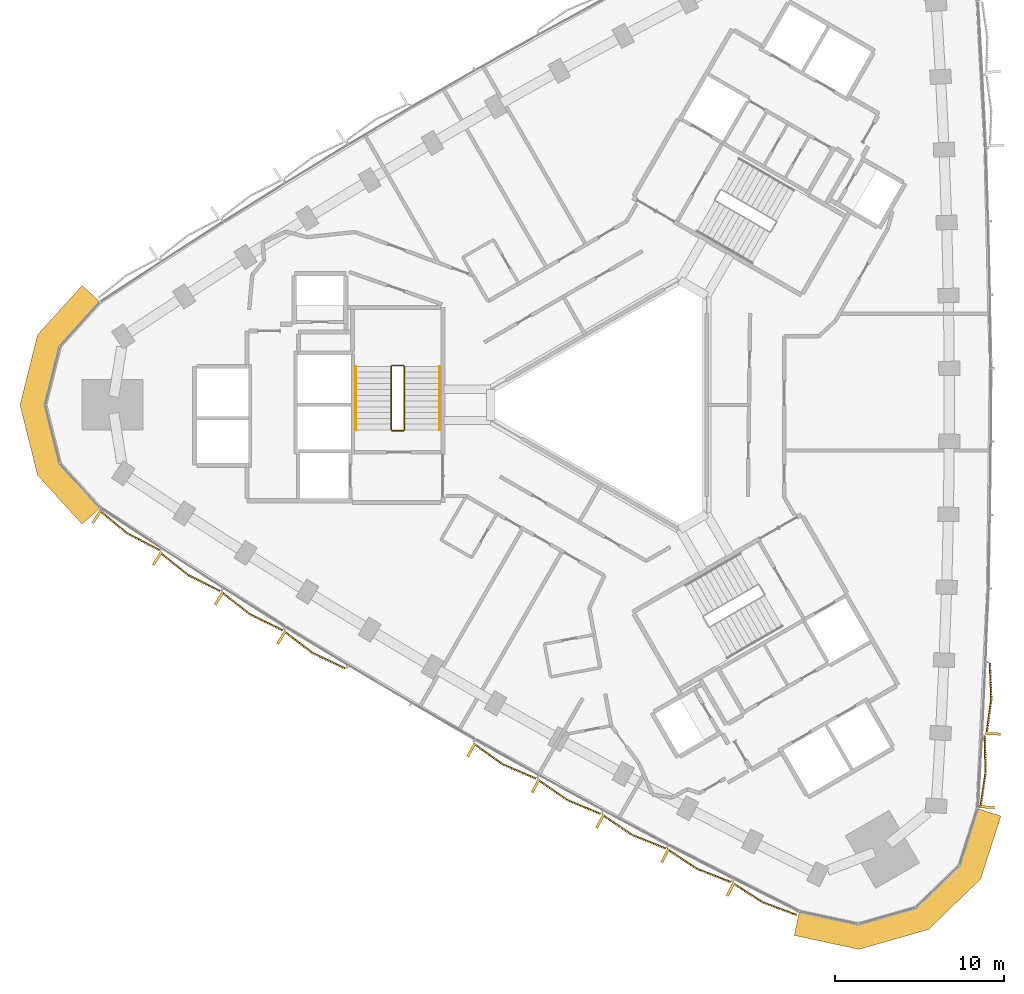
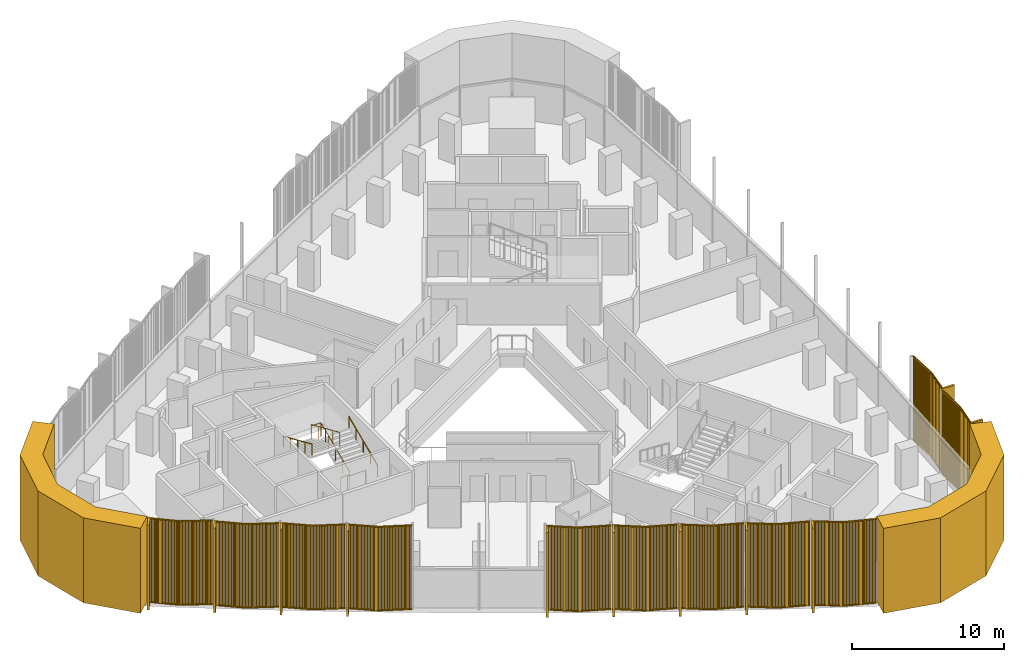
# One storey, part 12 of 14: 13 coverings, 3 railings.
"""IFC4 building model written with IfcOpenShell, lengths in metres."""

from ifc_helpers import new_model, si_unit, direction, frame, frame_2d, origin, origin_2d, place, context, subcontext, project, spatial, polyline, rectangle, circle, outline, extrude, source, transform, mapped, material, layer, layer_set, type_object, element, save


model = new_model("IFC4")

# Units and contexts
model_context = context("Model", 3, precision=1e-05, world=origin(), true_north=direction((0.0, 1.0)))
body_context = subcontext(model_context, "Body", "Model", "MODEL_VIEW")
ifc_project = project(units=[si_unit("LENGTHUNIT", "METRE"), si_unit("AREAUNIT", "SQUARE_METRE"), si_unit("VOLUMEUNIT", "CUBIC_METRE"), si_unit("PLANEANGLEUNIT", "RADIAN"), si_unit("MASSUNIT", "GRAM", prefix="KILO")], contexts=[model_context])

# Site, building, storey
site_placement = place(None, origin())
site = spatial("IfcSite", under=ifc_project, at=site_placement, CompositionType="ELEMENT")
building_placement = place(site_placement, origin())
building = spatial("IfcBuilding", under=site, at=building_placement, Name="Tamra Quay Hotel Tower", CompositionType="ELEMENT")
storey_placement = place(building_placement, frame((0.0, 0.0, 139.60009765625)))
storey = spatial("IfcBuildingStorey", under=building, at=storey_placement, Name="L34", CompositionType="ELEMENT", Elevation=139.60009765625)

# Coverings
ifc_material_1 = material(Name="Precast concrete M60 terracotta-coloured", Category="masonry")
ifc_layer = layer(ifc_material_1, 1.449951171875)
ifc_layer_set = layer_set([ifc_layer], Name="CORNER PIER PANEL")
covering_type_1 = type_object("IfcCoveringType", Name="CORNER PIER PANEL", PredefinedType="CLADDING", material=ifc_layer_set)
covering_1_placement = place(storey_placement, origin())
element("IfcCovering", 1, at=covering_1_placement, inside=storey, type_object=covering_type_1, Name="Corner pier L34.north-west", PredefinedType="CLADDING", context=body_context, shape_type="SweptSolid", body=[
    extrude(outline(polyline([(-31.139892578125, 6.099365234375), (-32.21435546875, 7.0732421875), (-34.85205078125, 4.16259765625), (-35.894775390625, 0.0), (-34.85205078125, -4.16259765625), (-32.21435546875, -7.0732421875), (-31.139892578125, -6.099365234375), (-33.53369140625, -3.4580078125), (-34.39990234375, 0.0), (-33.53369140625, 3.4580078125), (-31.139892578125, 6.099365234375)])), origin(), (0.0, 0.0, 1.0), 6.7998046875),
])
covering_2_placement = place(storey_placement, origin())
element("IfcCovering", 2, at=covering_2_placement, inside=storey, type_object=covering_type_1, Name="Corner pier L34.south-west", PredefinedType="CLADDING", context=body_context, shape_type="SweptSolid", body=[
    extrude(outline(polyline([(10.28759765625, -30.017578125), (9.981689453125, -31.43505859375), (13.821044921875, -32.26416015625), (17.947509765625, -31.085693359375), (21.031005859375, -28.1015625), (22.232666015625, -24.36181640625), (20.852294921875, -23.918212890625), (19.76171875, -27.31201171875), (17.199951171875, -29.791259765625), (13.772216796875, -30.770263671875), (10.28759765625, -30.017578125)])), origin(), (0.0, 0.0, 1.0), 6.7998046875),
])

# Railings
ifc_material_2 = material(Name="Stair guard 1100")
railing_type_1 = type_object("IfcRailingType", Name="Stair guard 1100", PredefinedType="GUARDRAIL", material=ifc_material_2)
railing_1_placement = place(storey_placement, frame((-13.84130859375, -1.530029296875, 0.0)))
element("IfcRailing", 3, at=railing_1_placement, inside=storey, type_object=railing_type_1, Name="GR", PredefinedType="GUARDRAIL", context=body_context, shape_type="SweptSolid", body=[
    extrude(circle(Radius=0.02392578125, at=origin_2d()), frame((0.0, 0.0, 1.076171875), z_axis=(1.0, 0.0, 0.0), x_axis=(0.0, 1.0, 0.0)), (0.0, 0.0, 1.0), 0.658935546875),
    extrude(circle(Radius=0.02392578125, at=origin_2d()), frame((0.658935546875, 0.0, 1.076171875), z_axis=(0.301912943143, 0.301912943143, 0.904266083366), x_axis=(-0.707106781187, 0.707106781187, 0.0)), (0.0, 0.0, 1.0), 0.165771484375),
    extrude(circle(Radius=0.02392578125, at=origin_2d()), frame((0.708984375, 0.050048828125, 1.22607421875), z_axis=(0.0, 0.915795495799, 0.401644880304), x_axis=(-1.0, 0.0, 0.0)), (0.0, 0.0, 1.0), 4.10791015625),
    extrude(circle(Radius=0.02392578125, at=origin_2d()), frame((0.708984375, 3.81201171875, 2.8759765625), z_axis=(-0.708833529934, 0.705375805398, 0.0), x_axis=(-0.705375805398, -0.708833529934, 0.0)), (0.0, 0.0, 1.0), 0.070556640625),
    extrude(circle(Radius=0.02392578125, at=origin_2d()), frame((0.658935546875, 3.86181640625, 2.8759765625), z_axis=(-1.0, 0.0, 0.0), x_axis=(0.0, -1.0, 0.0)), (0.0, 0.0, 1.0), 0.658935546875),
    extrude(circle(Radius=0.02392578125, at=origin_2d()), frame((0.0, 3.86181640625, 2.8759765625), z_axis=(-0.301644814947, -0.300173376825, 0.904934444842), x_axis=(0.705375805398, -0.708833529934, 0.0)), (0.0, 0.0, 1.0), 0.166015625),
    extrude(circle(Radius=0.02392578125, at=origin_2d()), frame((-0.050048828125, 3.81201171875, 3.02587890625), z_axis=(0.0, -0.915795495799, 0.401644880304), x_axis=(1.0, 0.0, 0.0)), (0.0, 0.0, 1.0), 4.10791015625),
    extrude(circle(Radius=0.02099609375, at=origin_2d()), origin(), (0.0, 0.0, 1.0), 1.052001953125),
    extrude(circle(Radius=0.02099609375, at=origin_2d()), frame((0.658935546875, 0.0, 0.0)), (0.0, 0.0, 1.0), 1.052001953125),
    extrude(circle(Radius=0.02099609375, at=origin_2d()), frame((0.708984375, 0.050048828125, 0.14990234375)), (0.0, 0.0, 1.0), 1.052001953125),
    extrude(circle(Radius=0.02099609375, at=origin_2d()), frame((0.708984375, 0.990478515625, 0.5625)), (0.0, 0.0, 1.0), 1.052001953125),
    extrude(circle(Radius=0.02099609375, at=origin_2d()), frame((0.708984375, 1.93115234375, 0.974853515625)), (0.0, 0.0, 1.0), 1.052001953125),
    extrude(circle(Radius=0.02099609375, at=origin_2d()), frame((0.708984375, 2.87158203125, 1.38720703125)), (0.0, 0.0, 1.0), 1.052001953125),
    extrude(circle(Radius=0.02099609375, at=origin_2d()), frame((0.708984375, 3.81201171875, 1.7998046875)), (0.0, 0.0, 1.0), 1.052001953125),
    extrude(circle(Radius=0.02099609375, at=origin_2d()), frame((0.658935546875, 3.86181640625, 1.7998046875)), (0.0, 0.0, 1.0), 1.052001953125),
    extrude(circle(Radius=0.02099609375, at=origin_2d()), frame((0.0, 3.86181640625, 1.7998046875)), (0.0, 0.0, 1.0), 1.052001953125),
    extrude(circle(Radius=0.02099609375, at=origin_2d()), frame((-0.050048828125, 3.81201171875, 1.949951171875)), (0.0, 0.0, 1.0), 1.052001953125),
    extrude(circle(Radius=0.02099609375, at=origin_2d()), frame((-0.050048828125, 2.87158203125, 2.3623046875)), (0.0, 0.0, 1.0), 1.052001953125),
    extrude(circle(Radius=0.02099609375, at=origin_2d()), frame((-0.050048828125, 1.93115234375, 2.77490234375)), (0.0, 0.0, 1.0), 1.052001953125),
    extrude(circle(Radius=0.02099609375, at=origin_2d()), frame((-0.050048828125, 0.990478515625, 3.1875)), (0.0, 0.0, 1.0), 1.052001953125),
    extrude(circle(Radius=0.02099609375, at=origin_2d()), frame((-0.050048828125, 0.050048828125, 3.599853515625)), (0.0, 0.0, 1.0), 1.052001953125),
])
ifc_material_3 = material(Name="Stair handrail 900")
railing_type_2 = type_object("IfcRailingType", Name="Stair handrail 900", PredefinedType="HANDRAIL", material=ifc_material_3)
railing_2_placement = place(storey_placement, frame((-11.0322265625, -1.47998046875, 0.14990234375)))
element("IfcRailing", 4, at=railing_2_placement, inside=storey, type_object=railing_type_2, Name="HR", PredefinedType="HANDRAIL", context=body_context, shape_type="SweptSolid", body=[
    extrude(circle(Radius=0.02392578125, at=origin_2d()), frame((0.0, 0.0, 0.8759765625), z_axis=(0.0, 0.915795495799, 0.401644880304), x_axis=(-1.0, 0.0, 0.0)), (0.0, 0.0, 1.0), 4.10791015625),
    extrude(circle(Radius=0.02099609375, at=origin_2d()), origin(), (0.0, 0.0, 1.0), 0.851806640625),
    extrude(circle(Radius=0.02099609375, at=origin_2d()), frame((0.0, 0.9404296875, 0.41259765625)), (0.0, 0.0, 1.0), 0.851806640625),
    extrude(circle(Radius=0.02099609375, at=origin_2d()), frame((0.0, 1.880859375, 0.824951171875)), (0.0, 0.0, 1.0), 0.851806640625),
    extrude(circle(Radius=0.02099609375, at=origin_2d()), frame((0.0, 2.821533203125, 1.2373046875)), (0.0, 0.0, 1.0), 0.851806640625),
    extrude(circle(Radius=0.02099609375, at=origin_2d()), frame((0.0, 3.761962890625, 1.64990234375)), (0.0, 0.0, 1.0), 0.851806640625),
])
railing_3_placement = place(storey_placement, frame((-15.9912109375, 2.281982421875, 1.949951171875)))
element("IfcRailing", 5, at=railing_3_placement, inside=storey, type_object=railing_type_2, Name="HR", PredefinedType="HANDRAIL", context=body_context, shape_type="SweptSolid", body=[
    extrude(circle(Radius=0.02392578125, at=origin_2d()), frame((0.0, 0.0, 0.8759765625), z_axis=(0.0, -0.915795495799, 0.401644880304), x_axis=(1.0, 0.0, 0.0)), (0.0, 0.0, 1.0), 4.10791015625),
    extrude(circle(Radius=0.02099609375, at=origin_2d()), origin(), (0.0, 0.0, 1.0), 0.851806640625),
    extrude(circle(Radius=0.02099609375, at=origin_2d()), frame((0.0, -0.9404296875, 0.41259765625)), (0.0, 0.0, 1.0), 0.851806640625),
    extrude(circle(Radius=0.02099609375, at=origin_2d()), frame((0.0, -1.880859375, 0.824951171875)), (0.0, 0.0, 1.0), 0.851806640625),
    extrude(circle(Radius=0.02099609375, at=origin_2d()), frame((0.0, -2.821533203125, 1.2373046875)), (0.0, 0.0, 1.0), 0.851806640625),
    extrude(circle(Radius=0.02099609375, at=origin_2d()), frame((0.0, -3.761962890625, 1.64990234375)), (0.0, 0.0, 1.0), 0.851806640625),
])

# Coverings
ifc_material_4 = material(Name="Terracotta baguette extruded", Category="masonry")
covering_type_2 = type_object("IfcCoveringType", Name="BAGUETTE SCREEN E-V H6800", PredefinedType="USERDEFINED", material=ifc_material_4)
shared_shape_1 = source(origin(), body_context, "Body", "SweptSolid", [
    extrude(rectangle(XDim=2.140625, YDim=0.06005859375, at=frame_2d((1.0703125, 0.030029296875))), frame((-2.1376953125, -0.057861328125, -0.1201171875), z_axis=(0.0, 0.0, 1.0), x_axis=(0.996194698092, -0.087155742748, 0.0)), (0.0, 0.0, 1.0), 0.1201171875),
    extrude(rectangle(XDim=2.140625, YDim=0.06005859375, at=frame_2d((1.0703125, 0.030029296875))), frame((-2.1376953125, -0.057861328125, -6.800048828125), z_axis=(0.0, 0.0, 1.0), x_axis=(0.996194698092, -0.087155742748, 0.0)), (0.0, 0.0, 1.0), 0.1201171875),
    extrude(rectangle(XDim=0.070068359375, YDim=0.10009765625, at=frame_2d((0.03515625, 0.050048828125))), frame((-2.11669921875, -0.13232421875, -6.739990234375)), (0.0, 0.0, 1.0), 6.679931640625),
    extrude(rectangle(XDim=0.070068359375, YDim=0.10009765625, at=frame_2d((0.03515625, 0.050048828125))), frame((-2.01513671875, -0.141357421875, -6.739990234375)), (0.0, 0.0, 1.0), 6.679931640625),
    extrude(rectangle(XDim=0.070068359375, YDim=0.10009765625, at=frame_2d((0.03515625, 0.050048828125))), frame((-1.91357421875, -0.150146484375, -6.739990234375)), (0.0, 0.0, 1.0), 6.679931640625),
    extrude(rectangle(XDim=0.070068359375, YDim=0.10009765625, at=frame_2d((0.03515625, 0.050048828125))), frame((-1.81201171875, -0.1591796875, -6.739990234375)), (0.0, 0.0, 1.0), 6.679931640625),
    extrude(rectangle(XDim=0.070068359375, YDim=0.10009765625, at=frame_2d((0.03515625, 0.050048828125))), frame((-1.71044921875, -0.16796875, -6.739990234375)), (0.0, 0.0, 1.0), 6.679931640625),
    extrude(rectangle(XDim=0.070068359375, YDim=0.10009765625, at=frame_2d((0.03515625, 0.050048828125))), frame((-1.60888671875, -0.1767578125, -6.739990234375)), (0.0, 0.0, 1.0), 6.679931640625),
    extrude(rectangle(XDim=0.070068359375, YDim=0.10009765625, at=frame_2d((0.03515625, 0.050048828125))), frame((-1.50732421875, -0.185791015625, -6.739990234375)), (0.0, 0.0, 1.0), 6.679931640625),
    extrude(rectangle(XDim=0.070068359375, YDim=0.10009765625, at=frame_2d((0.03515625, 0.050048828125))), frame((-1.406005859375, -0.194580078125, -6.739990234375)), (0.0, 0.0, 1.0), 6.679931640625),
    extrude(rectangle(XDim=0.070068359375, YDim=0.10009765625, at=frame_2d((0.03515625, 0.050048828125))), frame((-1.304443359375, -0.20361328125, -6.739990234375)), (0.0, 0.0, 1.0), 6.679931640625),
    extrude(rectangle(XDim=0.070068359375, YDim=0.10009765625, at=frame_2d((0.03515625, 0.050048828125))), frame((-1.202880859375, -0.21240234375, -6.739990234375)), (0.0, 0.0, 1.0), 6.679931640625),
    extrude(rectangle(XDim=0.070068359375, YDim=0.10009765625, at=frame_2d((0.03515625, 0.050048828125))), frame((-1.101318359375, -0.22119140625, -6.739990234375)), (0.0, 0.0, 1.0), 6.679931640625),
    extrude(rectangle(XDim=0.070068359375, YDim=0.10009765625, at=frame_2d((0.03515625, 0.050048828125))), frame((-0.999755859375, -0.230224609375, -6.739990234375)), (0.0, 0.0, 1.0), 6.679931640625),
    extrude(rectangle(XDim=0.070068359375, YDim=0.10009765625, at=frame_2d((0.03515625, 0.050048828125))), frame((-0.898193359375, -0.239013671875, -6.739990234375)), (0.0, 0.0, 1.0), 6.679931640625),
    extrude(rectangle(XDim=0.070068359375, YDim=0.10009765625, at=frame_2d((0.03515625, 0.050048828125))), frame((-0.796630859375, -0.248046875, -6.739990234375)), (0.0, 0.0, 1.0), 6.679931640625),
    extrude(rectangle(XDim=0.070068359375, YDim=0.10009765625, at=frame_2d((0.03515625, 0.050048828125))), frame((-0.695068359375, -0.2568359375, -6.739990234375)), (0.0, 0.0, 1.0), 6.679931640625),
    extrude(rectangle(XDim=0.070068359375, YDim=0.10009765625, at=frame_2d((0.03515625, 0.050048828125))), frame((-0.593505859375, -0.265625, -6.739990234375)), (0.0, 0.0, 1.0), 6.679931640625),
    extrude(rectangle(XDim=0.070068359375, YDim=0.10009765625, at=frame_2d((0.03515625, 0.050048828125))), frame((-0.491943359375, -0.274658203125, -6.739990234375)), (0.0, 0.0, 1.0), 6.679931640625),
    extrude(rectangle(XDim=0.070068359375, YDim=0.10009765625, at=frame_2d((0.03515625, 0.050048828125))), frame((-0.390380859375, -0.283447265625, -6.739990234375)), (0.0, 0.0, 1.0), 6.679931640625),
    extrude(rectangle(XDim=0.070068359375, YDim=0.10009765625, at=frame_2d((0.03515625, 0.050048828125))), frame((-0.288818359375, -0.29248046875, -6.739990234375)), (0.0, 0.0, 1.0), 6.679931640625),
    extrude(rectangle(XDim=0.070068359375, YDim=0.10009765625, at=frame_2d((0.03515625, 0.050048828125))), frame((-0.187255859375, -0.30126953125, -6.739990234375)), (0.0, 0.0, 1.0), 6.679931640625),
    extrude(rectangle(XDim=0.070068359375, YDim=0.10009765625, at=frame_2d((0.03515625, 0.050048828125))), frame((-0.085693359375, -0.31005859375, -6.739990234375)), (0.0, 0.0, 1.0), 6.679931640625),
    extrude(rectangle(XDim=2.140625, YDim=0.06005859375, at=frame_2d((1.0703125, 0.030029296875))), frame((0.005126953125, -0.244384765625, -0.1201171875), z_axis=(0.0, 0.0, 1.0), x_axis=(0.996194698092, 0.087155742748, 0.0)), (0.0, 0.0, 1.0), 0.1201171875),
    extrude(rectangle(XDim=2.140625, YDim=0.06005859375, at=frame_2d((1.0703125, 0.030029296875))), frame((0.005126953125, -0.244384765625, -6.800048828125), z_axis=(0.0, 0.0, 1.0), x_axis=(0.996194698092, 0.087155742748, 0.0)), (0.0, 0.0, 1.0), 0.1201171875),
    extrude(rectangle(XDim=0.070068359375, YDim=0.10009765625, at=frame_2d((0.03515625, 0.050048828125))), frame((0.015869140625, -0.31005859375, -6.739990234375)), (0.0, 0.0, 1.0), 6.679931640625),
    extrude(rectangle(XDim=0.070068359375, YDim=0.10009765625, at=frame_2d((0.03515625, 0.050048828125))), frame((0.117431640625, -0.30126953125, -6.739990234375)), (0.0, 0.0, 1.0), 6.679931640625),
    extrude(rectangle(XDim=0.070068359375, YDim=0.10009765625, at=frame_2d((0.03515625, 0.050048828125))), frame((0.21875, -0.29248046875, -6.739990234375)), (0.0, 0.0, 1.0), 6.679931640625),
    extrude(rectangle(XDim=0.070068359375, YDim=0.10009765625, at=frame_2d((0.03515625, 0.050048828125))), frame((0.3203125, -0.283447265625, -6.739990234375)), (0.0, 0.0, 1.0), 6.679931640625),
    extrude(rectangle(XDim=0.070068359375, YDim=0.10009765625, at=frame_2d((0.03515625, 0.050048828125))), frame((0.421875, -0.274658203125, -6.739990234375)), (0.0, 0.0, 1.0), 6.679931640625),
    extrude(rectangle(XDim=0.070068359375, YDim=0.10009765625, at=frame_2d((0.03515625, 0.050048828125))), frame((0.5234375, -0.265625, -6.739990234375)), (0.0, 0.0, 1.0), 6.679931640625),
    extrude(rectangle(XDim=0.070068359375, YDim=0.10009765625, at=frame_2d((0.03515625, 0.050048828125))), frame((0.625, -0.2568359375, -6.739990234375)), (0.0, 0.0, 1.0), 6.679931640625),
    extrude(rectangle(XDim=0.070068359375, YDim=0.10009765625, at=frame_2d((0.03515625, 0.050048828125))), frame((0.7265625, -0.248046875, -6.739990234375)), (0.0, 0.0, 1.0), 6.679931640625),
    extrude(rectangle(XDim=0.070068359375, YDim=0.10009765625, at=frame_2d((0.03515625, 0.050048828125))), frame((0.828125, -0.239013671875, -6.739990234375)), (0.0, 0.0, 1.0), 6.679931640625),
    extrude(rectangle(XDim=0.070068359375, YDim=0.10009765625, at=frame_2d((0.03515625, 0.050048828125))), frame((0.9296875, -0.230224609375, -6.739990234375)), (0.0, 0.0, 1.0), 6.679931640625),
    extrude(rectangle(XDim=0.070068359375, YDim=0.10009765625, at=frame_2d((0.03515625, 0.050048828125))), frame((1.03125, -0.22119140625, -6.739990234375)), (0.0, 0.0, 1.0), 6.679931640625),
    extrude(rectangle(XDim=0.070068359375, YDim=0.10009765625, at=frame_2d((0.03515625, 0.050048828125))), frame((1.1328125, -0.21240234375, -6.739990234375)), (0.0, 0.0, 1.0), 6.679931640625),
    extrude(rectangle(XDim=0.070068359375, YDim=0.10009765625, at=frame_2d((0.03515625, 0.050048828125))), frame((1.234375, -0.20361328125, -6.739990234375)), (0.0, 0.0, 1.0), 6.679931640625),
    extrude(rectangle(XDim=0.070068359375, YDim=0.10009765625, at=frame_2d((0.03515625, 0.050048828125))), frame((1.3359375, -0.194580078125, -6.739990234375)), (0.0, 0.0, 1.0), 6.679931640625),
    extrude(rectangle(XDim=0.070068359375, YDim=0.10009765625, at=frame_2d((0.03515625, 0.050048828125))), frame((1.4375, -0.185791015625, -6.739990234375)), (0.0, 0.0, 1.0), 6.679931640625),
    extrude(rectangle(XDim=0.070068359375, YDim=0.10009765625, at=frame_2d((0.03515625, 0.050048828125))), frame((1.5390625, -0.1767578125, -6.739990234375)), (0.0, 0.0, 1.0), 6.679931640625),
    extrude(rectangle(XDim=0.070068359375, YDim=0.10009765625, at=frame_2d((0.03515625, 0.050048828125))), frame((1.640625, -0.16796875, -6.739990234375)), (0.0, 0.0, 1.0), 6.679931640625),
    extrude(rectangle(XDim=0.070068359375, YDim=0.10009765625, at=frame_2d((0.03515625, 0.050048828125))), frame((1.7421875, -0.1591796875, -6.739990234375)), (0.0, 0.0, 1.0), 6.679931640625),
    extrude(rectangle(XDim=0.070068359375, YDim=0.10009765625, at=frame_2d((0.03515625, 0.050048828125))), frame((1.84375, -0.150146484375, -6.739990234375)), (0.0, 0.0, 1.0), 6.679931640625),
    extrude(rectangle(XDim=0.070068359375, YDim=0.10009765625, at=frame_2d((0.03515625, 0.050048828125))), frame((1.945068359375, -0.141357421875, -6.739990234375)), (0.0, 0.0, 1.0), 6.679931640625),
    extrude(rectangle(XDim=0.070068359375, YDim=0.10009765625, at=frame_2d((0.03515625, 0.050048828125))), frame((2.046630859375, -0.13232421875, -6.739990234375)), (0.0, 0.0, 1.0), 6.679931640625),
    extrude(rectangle(XDim=0.14990234375, YDim=0.902099609375, at=frame_2d((0.074951171875, 0.451171875))), frame((-2.132568359375, -0.89990234375, -6.800048828125)), (0.0, 0.0, 1.0), 6.800048828125),
])
for number, where, z_axis, x_axis, name in (
    (6, (21.079833984375, -21.751953125, 6.7998046875), (0.0, 0.0, 1.0), (0.059641629271, 0.998219853568, 0.0), "Baguette screen L34.E.f00"),
    (7, (21.413330078125, -17.41064453125, 6.7998046875), (0.0, 0.0, 1.0), (0.047747439326, 0.998859440581, 0.0), "Baguette screen L34.E.f01"),
):
    element("IfcCovering", number, at=place(storey_placement, frame(where, z_axis=z_axis, x_axis=x_axis)), inside=storey, type_object=covering_type_2, Name=name, ObjectType="BAGUETTE SCREEN", PredefinedType="USERDEFINED", context=body_context, shape_type="MappedRepresentation", body=[
        mapped(shared_shape_1, transform((0.0, 0.0, 0.0), scale=1.0)),
    ])
covering_type_3 = type_object("IfcCoveringType", Name="BAGUETTE SCREEN SW-V H6800", PredefinedType="USERDEFINED", material=ifc_material_4)
shared_shape_2 = source(origin(), body_context, "Body", "SweptSolid", [
    extrude(rectangle(XDim=2.144287109375, YDim=0.06005859375, at=frame_2d((1.072265625, 0.030029296875))), frame((-2.138671875, -0.0576171875, -0.1201171875), z_axis=(0.0, 0.0, 1.0), x_axis=(0.994521895368, -0.104528463268, 0.0)), (0.0, 0.0, 1.0), 0.1201171875),
    extrude(rectangle(XDim=2.144287109375, YDim=0.06005859375, at=frame_2d((1.072265625, 0.030029296875))), frame((-2.138671875, -0.0576171875, -6.800048828125), z_axis=(0.0, 0.0, 1.0), x_axis=(0.994521895368, -0.104528463268, 0.0)), (0.0, 0.0, 1.0), 0.1201171875),
    extrude(rectangle(XDim=0.070068359375, YDim=0.10009765625, at=frame_2d((0.03515625, 0.050048828125))), frame((-2.11669921875, -0.13330078125, -6.739990234375)), (0.0, 0.0, 1.0), 6.679931640625),
    extrude(rectangle(XDim=0.070068359375, YDim=0.10009765625, at=frame_2d((0.03515625, 0.050048828125))), frame((-2.01513671875, -0.14404296875, -6.739990234375)), (0.0, 0.0, 1.0), 6.679931640625),
    extrude(rectangle(XDim=0.070068359375, YDim=0.10009765625, at=frame_2d((0.03515625, 0.050048828125))), frame((-1.91357421875, -0.15478515625, -6.739990234375)), (0.0, 0.0, 1.0), 6.679931640625),
    extrude(rectangle(XDim=0.070068359375, YDim=0.10009765625, at=frame_2d((0.03515625, 0.050048828125))), frame((-1.81201171875, -0.165283203125, -6.739990234375)), (0.0, 0.0, 1.0), 6.679931640625),
    extrude(rectangle(XDim=0.070068359375, YDim=0.10009765625, at=frame_2d((0.03515625, 0.050048828125))), frame((-1.71044921875, -0.176025390625, -6.739990234375)), (0.0, 0.0, 1.0), 6.679931640625),
    extrude(rectangle(XDim=0.070068359375, YDim=0.10009765625, at=frame_2d((0.03515625, 0.050048828125))), frame((-1.60888671875, -0.186767578125, -6.739990234375)), (0.0, 0.0, 1.0), 6.679931640625),
    extrude(rectangle(XDim=0.070068359375, YDim=0.10009765625, at=frame_2d((0.03515625, 0.050048828125))), frame((-1.50732421875, -0.197265625, -6.739990234375)), (0.0, 0.0, 1.0), 6.679931640625),
    extrude(rectangle(XDim=0.070068359375, YDim=0.10009765625, at=frame_2d((0.03515625, 0.050048828125))), frame((-1.406005859375, -0.2080078125, -6.739990234375)), (0.0, 0.0, 1.0), 6.679931640625),
    extrude(rectangle(XDim=0.070068359375, YDim=0.10009765625, at=frame_2d((0.03515625, 0.050048828125))), frame((-1.304443359375, -0.21875, -6.739990234375)), (0.0, 0.0, 1.0), 6.679931640625),
    extrude(rectangle(XDim=0.070068359375, YDim=0.10009765625, at=frame_2d((0.03515625, 0.050048828125))), frame((-1.202880859375, -0.2294921875, -6.739990234375)), (0.0, 0.0, 1.0), 6.679931640625),
    extrude(rectangle(XDim=0.070068359375, YDim=0.10009765625, at=frame_2d((0.03515625, 0.050048828125))), frame((-1.101318359375, -0.239990234375, -6.739990234375)), (0.0, 0.0, 1.0), 6.679931640625),
    extrude(rectangle(XDim=0.070068359375, YDim=0.10009765625, at=frame_2d((0.03515625, 0.050048828125))), frame((-0.999755859375, -0.250732421875, -6.739990234375)), (0.0, 0.0, 1.0), 6.679931640625),
    extrude(rectangle(XDim=0.070068359375, YDim=0.10009765625, at=frame_2d((0.03515625, 0.050048828125))), frame((-0.898193359375, -0.261474609375, -6.739990234375)), (0.0, 0.0, 1.0), 6.679931640625),
    extrude(rectangle(XDim=0.070068359375, YDim=0.10009765625, at=frame_2d((0.03515625, 0.050048828125))), frame((-0.796630859375, -0.27197265625, -6.739990234375)), (0.0, 0.0, 1.0), 6.679931640625),
    extrude(rectangle(XDim=0.070068359375, YDim=0.10009765625, at=frame_2d((0.03515625, 0.050048828125))), frame((-0.695068359375, -0.28271484375, -6.739990234375)), (0.0, 0.0, 1.0), 6.679931640625),
    extrude(rectangle(XDim=0.070068359375, YDim=0.10009765625, at=frame_2d((0.03515625, 0.050048828125))), frame((-0.593505859375, -0.29345703125, -6.739990234375)), (0.0, 0.0, 1.0), 6.679931640625),
    extrude(rectangle(XDim=0.070068359375, YDim=0.10009765625, at=frame_2d((0.03515625, 0.050048828125))), frame((-0.491943359375, -0.30419921875, -6.739990234375)), (0.0, 0.0, 1.0), 6.679931640625),
    extrude(rectangle(XDim=0.070068359375, YDim=0.10009765625, at=frame_2d((0.03515625, 0.050048828125))), frame((-0.390380859375, -0.314697265625, -6.739990234375)), (0.0, 0.0, 1.0), 6.679931640625),
    extrude(rectangle(XDim=0.070068359375, YDim=0.10009765625, at=frame_2d((0.03515625, 0.050048828125))), frame((-0.288818359375, -0.325439453125, -6.739990234375)), (0.0, 0.0, 1.0), 6.679931640625),
    extrude(rectangle(XDim=0.070068359375, YDim=0.10009765625, at=frame_2d((0.03515625, 0.050048828125))), frame((-0.187255859375, -0.336181640625, -6.739990234375)), (0.0, 0.0, 1.0), 6.679931640625),
    extrude(rectangle(XDim=0.070068359375, YDim=0.10009765625, at=frame_2d((0.03515625, 0.050048828125))), frame((-0.085693359375, -0.3466796875, -6.739990234375)), (0.0, 0.0, 1.0), 6.679931640625),
    extrude(rectangle(XDim=2.144287109375, YDim=0.06005859375, at=frame_2d((1.072265625, 0.030029296875))), frame((0.00634765625, -0.28173828125, -0.1201171875), z_axis=(0.0, 0.0, 1.0), x_axis=(0.994521895368, 0.104528463268, 0.0)), (0.0, 0.0, 1.0), 0.1201171875),
    extrude(rectangle(XDim=2.144287109375, YDim=0.06005859375, at=frame_2d((1.072265625, 0.030029296875))), frame((0.00634765625, -0.28173828125, -6.800048828125), z_axis=(0.0, 0.0, 1.0), x_axis=(0.994521895368, 0.104528463268, 0.0)), (0.0, 0.0, 1.0), 0.1201171875),
    extrude(rectangle(XDim=0.070068359375, YDim=0.10009765625, at=frame_2d((0.03515625, 0.050048828125))), frame((0.015869140625, -0.3466796875, -6.739990234375)), (0.0, 0.0, 1.0), 6.679931640625),
    extrude(rectangle(XDim=0.070068359375, YDim=0.10009765625, at=frame_2d((0.03515625, 0.050048828125))), frame((0.117431640625, -0.336181640625, -6.739990234375)), (0.0, 0.0, 1.0), 6.679931640625),
    extrude(rectangle(XDim=0.070068359375, YDim=0.10009765625, at=frame_2d((0.03515625, 0.050048828125))), frame((0.21875, -0.325439453125, -6.739990234375)), (0.0, 0.0, 1.0), 6.679931640625),
    extrude(rectangle(XDim=0.070068359375, YDim=0.10009765625, at=frame_2d((0.03515625, 0.050048828125))), frame((0.3203125, -0.314697265625, -6.739990234375)), (0.0, 0.0, 1.0), 6.679931640625),
    extrude(rectangle(XDim=0.070068359375, YDim=0.10009765625, at=frame_2d((0.03515625, 0.050048828125))), frame((0.421875, -0.30419921875, -6.739990234375)), (0.0, 0.0, 1.0), 6.679931640625),
    extrude(rectangle(XDim=0.070068359375, YDim=0.10009765625, at=frame_2d((0.03515625, 0.050048828125))), frame((0.5234375, -0.29345703125, -6.739990234375)), (0.0, 0.0, 1.0), 6.679931640625),
    extrude(rectangle(XDim=0.070068359375, YDim=0.10009765625, at=frame_2d((0.03515625, 0.050048828125))), frame((0.625, -0.28271484375, -6.739990234375)), (0.0, 0.0, 1.0), 6.679931640625),
    extrude(rectangle(XDim=0.070068359375, YDim=0.10009765625, at=frame_2d((0.03515625, 0.050048828125))), frame((0.7265625, -0.27197265625, -6.739990234375)), (0.0, 0.0, 1.0), 6.679931640625),
    extrude(rectangle(XDim=0.070068359375, YDim=0.10009765625, at=frame_2d((0.03515625, 0.050048828125))), frame((0.828125, -0.261474609375, -6.739990234375)), (0.0, 0.0, 1.0), 6.679931640625),
    extrude(rectangle(XDim=0.070068359375, YDim=0.10009765625, at=frame_2d((0.03515625, 0.050048828125))), frame((0.9296875, -0.250732421875, -6.739990234375)), (0.0, 0.0, 1.0), 6.679931640625),
    extrude(rectangle(XDim=0.070068359375, YDim=0.10009765625, at=frame_2d((0.03515625, 0.050048828125))), frame((1.03125, -0.239990234375, -6.739990234375)), (0.0, 0.0, 1.0), 6.679931640625),
    extrude(rectangle(XDim=0.070068359375, YDim=0.10009765625, at=frame_2d((0.03515625, 0.050048828125))), frame((1.1328125, -0.2294921875, -6.739990234375)), (0.0, 0.0, 1.0), 6.679931640625),
    extrude(rectangle(XDim=0.070068359375, YDim=0.10009765625, at=frame_2d((0.03515625, 0.050048828125))), frame((1.234375, -0.21875, -6.739990234375)), (0.0, 0.0, 1.0), 6.679931640625),
    extrude(rectangle(XDim=0.070068359375, YDim=0.10009765625, at=frame_2d((0.03515625, 0.050048828125))), frame((1.3359375, -0.2080078125, -6.739990234375)), (0.0, 0.0, 1.0), 6.679931640625),
    extrude(rectangle(XDim=0.070068359375, YDim=0.10009765625, at=frame_2d((0.03515625, 0.050048828125))), frame((1.4375, -0.197265625, -6.739990234375)), (0.0, 0.0, 1.0), 6.679931640625),
    extrude(rectangle(XDim=0.070068359375, YDim=0.10009765625, at=frame_2d((0.03515625, 0.050048828125))), frame((1.5390625, -0.186767578125, -6.739990234375)), (0.0, 0.0, 1.0), 6.679931640625),
    extrude(rectangle(XDim=0.070068359375, YDim=0.10009765625, at=frame_2d((0.03515625, 0.050048828125))), frame((1.640625, -0.176025390625, -6.739990234375)), (0.0, 0.0, 1.0), 6.679931640625),
    extrude(rectangle(XDim=0.070068359375, YDim=0.10009765625, at=frame_2d((0.03515625, 0.050048828125))), frame((1.7421875, -0.165283203125, -6.739990234375)), (0.0, 0.0, 1.0), 6.679931640625),
    extrude(rectangle(XDim=0.070068359375, YDim=0.10009765625, at=frame_2d((0.03515625, 0.050048828125))), frame((1.84375, -0.15478515625, -6.739990234375)), (0.0, 0.0, 1.0), 6.679931640625),
    extrude(rectangle(XDim=0.070068359375, YDim=0.10009765625, at=frame_2d((0.03515625, 0.050048828125))), frame((1.945068359375, -0.14404296875, -6.739990234375)), (0.0, 0.0, 1.0), 6.679931640625),
    extrude(rectangle(XDim=0.070068359375, YDim=0.10009765625, at=frame_2d((0.03515625, 0.050048828125))), frame((2.046630859375, -0.13330078125, -6.739990234375)), (0.0, 0.0, 1.0), 6.679931640625),
    extrude(rectangle(XDim=0.14990234375, YDim=0.902099609375, at=frame_2d((0.074951171875, 0.451171875))), frame((-2.132568359375, -0.89990234375, -6.800048828125)), (0.0, 0.0, 1.0), 6.800048828125),
])
for number, where, z_axis, x_axis, name in (
    (8, (-29.377685546875, -7.379638671875, 6.7998046875), (0.0, 0.0, 1.0), (0.834662937117, -0.550761092856, 0.0), "Baguette screen L34.SW.f00"),
    (9, (-25.78466796875, -9.839111328125, 6.7998046875), (0.0, 0.0, 1.0), (0.84116393069, -0.540780215713, 0.0), "Baguette screen L34.SW.f01"),
    (10, (-22.1083984375, -12.171875, 6.7998046875), (0.0, 0.0, 1.0), (0.847546140021, -0.530721716661, 0.0), "Baguette screen L34.SW.f02"),
    (11, (-18.403564453125, -14.461181640625, 6.7998046875), (0.0, 0.0, 1.0), (0.853830186653, -0.520551642357, 0.0), "Baguette screen L34.SW.f03"),
    (12, (-7.131103515625, -21.059326171875, 6.7998046875), (0.0, 0.0, 1.0), (0.871941925157, -0.489609312772, 0.0), "Baguette screen L34.SW.f06"),
    (13, (-3.32177734375, -23.16845703125, 6.7998046875), (0.0, 0.0, 1.0), (0.877726039589, -0.479162810981, 0.0), "Baguette screen L34.SW.f07"),
    (14, (0.512939453125, -25.232421875, 6.7998046875), (0.0, 0.0, 1.0), (0.883391558979, -0.468635629808, 0.0), "Baguette screen L34.SW.f08"),
    (15, (4.371337890625, -27.249755859375, 6.7998046875), (0.0, 0.0, 1.0), (0.888911370016, -0.458079224868, 0.0), "Baguette screen L34.SW.f09"),
    (16, (8.253173828125, -29.22119140625, 6.7998046875), (0.0, 0.0, 1.0), (0.894304566387, -0.447458760713, 0.0), "Baguette screen L34.SW.f10"),
):
    element("IfcCovering", number, at=place(storey_placement, frame(where, z_axis=z_axis, x_axis=x_axis)), inside=storey, type_object=covering_type_3, Name=name, ObjectType="BAGUETTE SCREEN", PredefinedType="USERDEFINED", context=body_context, shape_type="MappedRepresentation", body=[
        mapped(shared_shape_2, transform((0.0, 0.0, 0.0), scale=1.0)),
    ])

save(model, "model.ifc")
